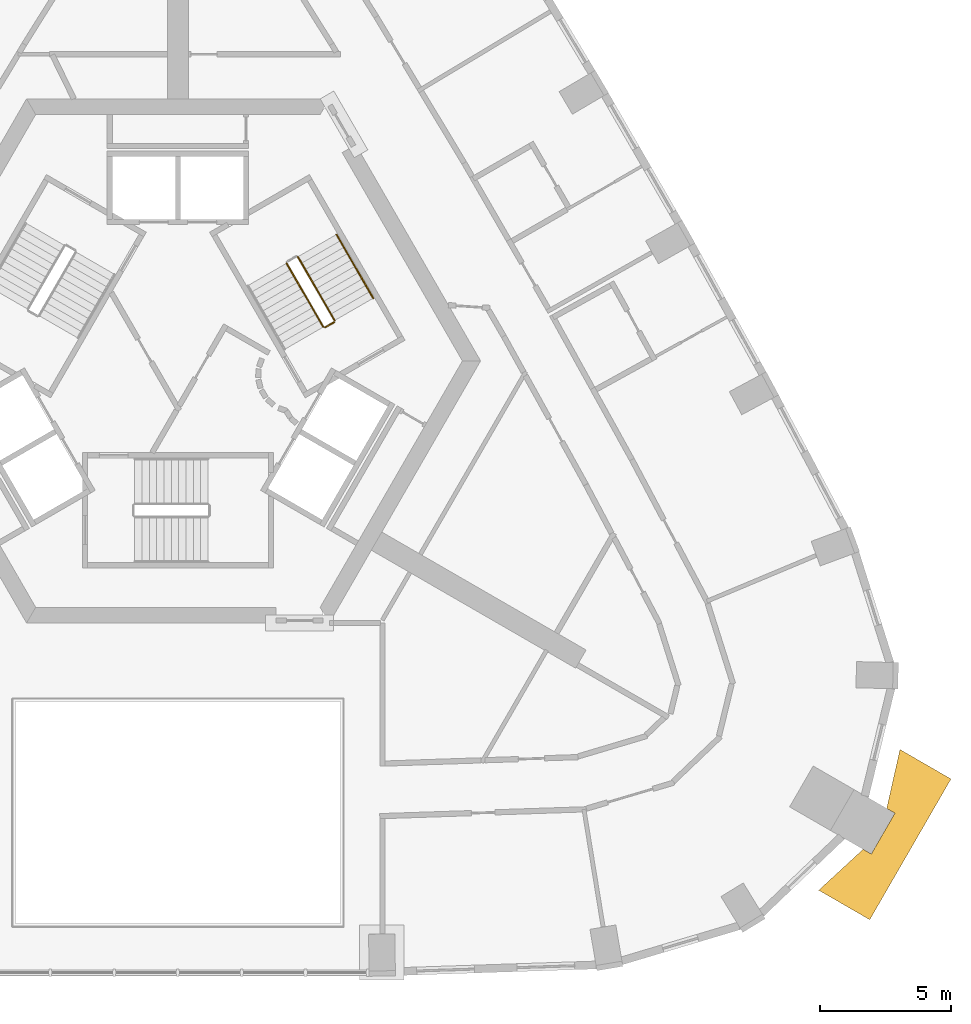
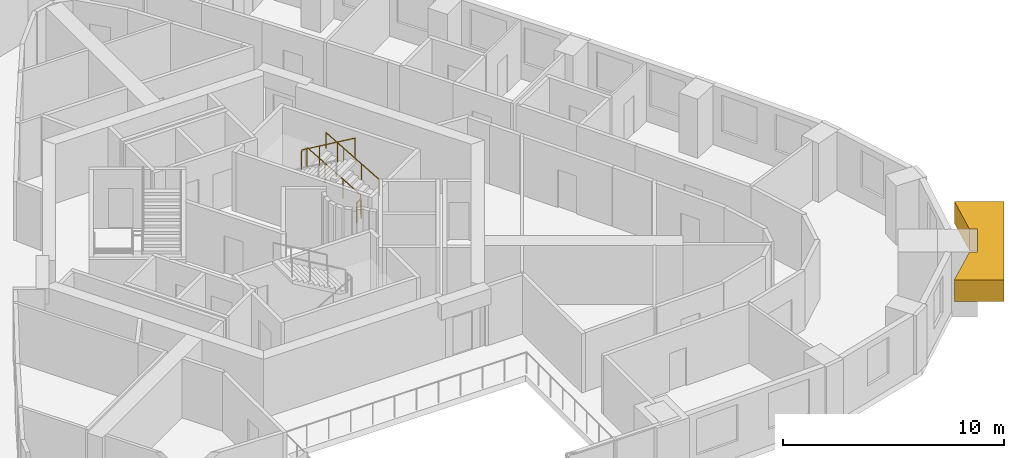
# One storey, part 12 of 13: 4 railings, 1 covering.
"""IFC4 building model written with IfcOpenShell, lengths in metres."""

from ifc_helpers import new_model, si_unit, direction, frame, origin, origin_2d, place, context, subcontext, project, spatial, polyline, circle, outline, extrude, material, type_object, element, save


model = new_model("IFC4")

# Units and contexts
model_context = context("Model", 3, precision=1e-05, world=origin(), true_north=direction((0.0, 1.0)))
body_context = subcontext(model_context, "Body", "Model", "MODEL_VIEW")
ifc_project = project(units=[si_unit("LENGTHUNIT", "METRE"), si_unit("AREAUNIT", "SQUARE_METRE"), si_unit("VOLUMEUNIT", "CUBIC_METRE"), si_unit("PLANEANGLEUNIT", "RADIAN"), si_unit("MASSUNIT", "GRAM", prefix="KILO")], contexts=[model_context])

# Site, building, storey
site_placement = place(None, origin())
site = spatial("IfcSite", under=ifc_project, at=site_placement, CompositionType="ELEMENT")
building_placement = place(site_placement, origin())
building = spatial("IfcBuilding", under=site, at=building_placement, Name="Entoto Arch Interchange Tower", CompositionType="ELEMENT")
storey_placement = place(building_placement, frame((0.0, 0.0, 270.199951171875)))
storey = spatial("IfcBuildingStorey", under=building, at=storey_placement, Name="L62", CompositionType="ELEMENT", Elevation=270.199951171875)

# Covering
ifc_material_1 = material(Name="Board-marked precast concrete C50/60", Category="concrete")
covering_type = type_object("IfcCoveringType", Name="PRECAST FRAME COURSE", PredefinedType="CLADDING", material=ifc_material_1)
covering_placement = place(storey_placement, frame((0.0, 0.0, 2.06005859375)))
element("IfcCovering", 1, at=covering_placement, inside=storey, type_object=covering_type, Name="Corner pilaster head SE L60-L62", PredefinedType="CLADDING", context=body_context, shape_type="SweptSolid", body=[
    extrude(outline(polyline([(29.493896484375, -13.448974609375), (26.39404296875, -18.819091796875), (24.447021484375, -17.695068359375), (26.14208984375, -16.133056640625), (26.4541015625, -16.31298828125), (27.35400390625, -14.7548828125), (27.0419921875, -14.573974609375), (27.547119140625, -12.324951171875), (29.493896484375, -13.448974609375)])), origin(), (0.0, 0.0, 1.0), 1.199951171875),
])

# Railings
ifc_material_2 = material(Name="Stainless steel 1.4301", Category="steel")
railing_type_1 = type_object("IfcRailingType", Name="STAIR GUARD 1100 STEEL", PredefinedType="GUARDRAIL", material=ifc_material_2)
railing_1_placement = place(storey_placement, frame((5.977783203125, 4.046142578125, 0.16357421875)))
element("IfcRailing", 2, at=railing_1_placement, inside=storey, type_object=railing_type_1, Name="L62 ST-NE stair guard 1", PredefinedType="GUARDRAIL", context=body_context, shape_type="SweptSolid", body=[
    extrude(circle(Radius=0.02392578125, at=origin_2d()), frame((0.0, 0.0, 1.076171875), z_axis=(-0.431660630283, 0.747689811644, 0.504607813879), x_axis=(-0.866034573852, -0.49998411664, 0.0)), (0.0, 0.0, 1.0), 3.2431640625),
    extrude(circle(Radius=0.02099609375, at=origin_2d()), origin(), (0.0, 0.0, 1.0), 1.052001953125),
    extrude(circle(Radius=0.02099609375, at=origin_2d()), frame((-0.466552734375, 0.808349609375, 0.54541015625)), (0.0, 0.0, 1.0), 1.052001953125),
    extrude(circle(Radius=0.02099609375, at=origin_2d()), frame((-0.933349609375, 1.616455078125, 1.091064453125)), (0.0, 0.0, 1.0), 1.052001953125),
    extrude(circle(Radius=0.02099609375, at=origin_2d()), frame((-1.39990234375, 2.4248046875, 1.636474609375)), (0.0, 0.0, 1.0), 1.052001953125),
])
railing_2_placement = place(storey_placement, frame((4.144775390625, 6.220947265625, 1.963623046875)))
element("IfcRailing", 3, at=railing_2_placement, inside=storey, type_object=railing_type_1, Name="L62 ST-NE stair guard 3", PredefinedType="GUARDRAIL", context=body_context, shape_type="SweptSolid", body=[
    extrude(circle(Radius=0.02392578125, at=origin_2d()), frame((0.0, 0.0, 1.076171875), z_axis=(0.431721881032, -0.747665513933, 0.504591415616), x_axis=(0.865996816683, 0.500049511043, 0.0)), (0.0, 0.0, 1.0), 3.2431640625),
    extrude(circle(Radius=0.02099609375, at=origin_2d()), origin(), (0.0, 0.0, 1.0), 1.052001953125),
    extrude(circle(Radius=0.02099609375, at=origin_2d()), frame((0.466796875, -0.808349609375, 0.54541015625)), (0.0, 0.0, 1.0), 1.052001953125),
    extrude(circle(Radius=0.02099609375, at=origin_2d()), frame((0.933349609375, -1.616455078125, 1.091064453125)), (0.0, 0.0, 1.0), 1.052001953125),
    extrude(circle(Radius=0.02099609375, at=origin_2d()), frame((1.400146484375, -2.4248046875, 1.636474609375)), (0.0, 0.0, 1.0), 1.052001953125),
])
railing_3_placement = place(storey_placement, frame((5.95947265625, 3.977783203125, 0.0)))
element("IfcRailing", 4, at=railing_3_placement, inside=storey, type_object=railing_type_1, Name="L62 ST-NE stair guard 4", PredefinedType="GUARDRAIL", context=body_context, shape_type="SweptSolid", body=[
    extrude(circle(Radius=0.02392578125, at=origin_2d()), frame((0.0, 0.0, 1.076171875), z_axis=(-0.866094119867, -0.499880961361, 0.0), x_axis=(0.499880961361, -0.866094119867, 0.0)), (0.0, 0.0, 1.0), 0.39990234375),
    extrude(circle(Radius=0.02099609375, at=origin_2d()), origin(), (0.0, 0.0, 1.0), 1.052001953125),
    extrude(circle(Radius=0.02099609375, at=origin_2d()), frame((-0.346435546875, -0.199951171875, 0.0)), (0.0, 0.0, 1.0), 1.052001953125),
])
railing_type_2 = type_object("IfcRailingType", Name="STAIR HANDRAIL 900 STEEL", PredefinedType="HANDRAIL", material=ifc_material_2)
railing_4_placement = place(storey_placement, frame((7.4501953125, 4.89599609375, 0.16357421875)))
element("IfcRailing", 5, at=railing_4_placement, inside=storey, type_object=railing_type_2, Name="L62 ST-NE stair handrail 1", PredefinedType="HANDRAIL", context=body_context, shape_type="SweptSolid", body=[
    extrude(circle(Radius=0.02392578125, at=origin_2d()), frame((0.0, 0.0, 0.8759765625), z_axis=(-0.431697583215, 0.747698708645, 0.504563016616), x_axis=(-0.866018616679, -0.500011755427, 0.0)), (0.0, 0.0, 1.0), 3.243408203125),
    extrude(circle(Radius=0.02099609375, at=origin_2d()), origin(), (0.0, 0.0, 1.0), 0.851806640625),
    extrude(circle(Radius=0.02099609375, at=origin_2d()), frame((-0.466796875, 0.808349609375, 0.54541015625)), (0.0, 0.0, 1.0), 0.851806640625),
    extrude(circle(Radius=0.02099609375, at=origin_2d()), frame((-0.933349609375, 1.61669921875, 1.091064453125)), (0.0, 0.0, 1.0), 0.851806640625),
    extrude(circle(Radius=0.02099609375, at=origin_2d()), frame((-1.400146484375, 2.425048828125, 1.636474609375)), (0.0, 0.0, 1.0), 0.851806640625),
])

save(model, "model.ifc")
